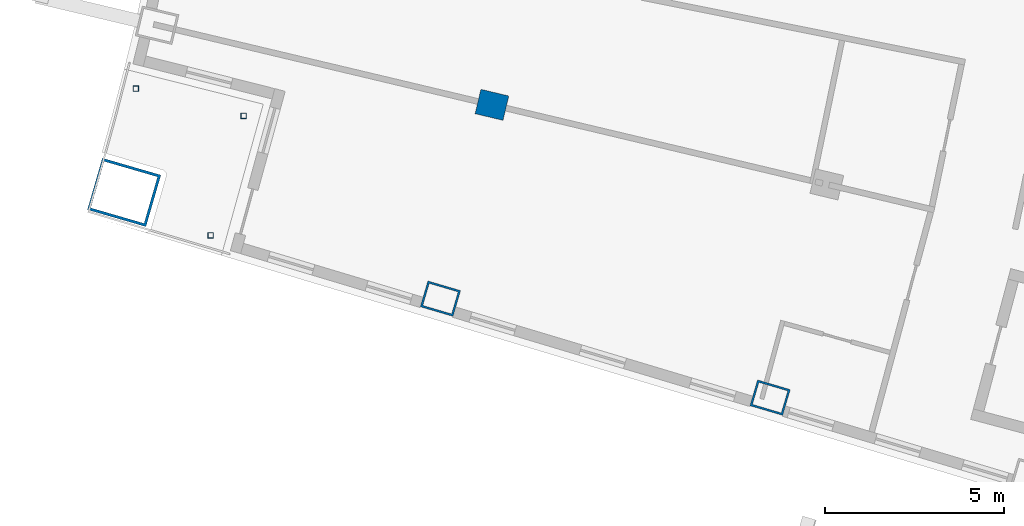
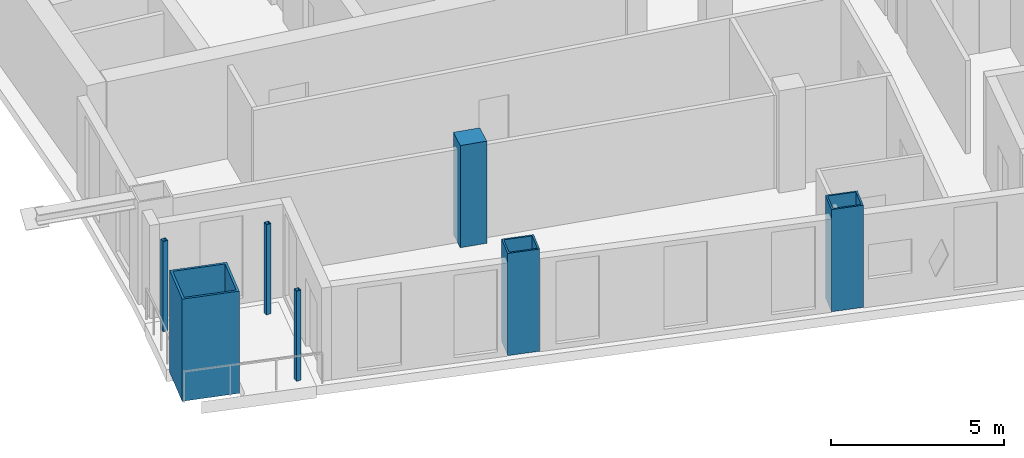
# One storey, part 1 of 19: 7 columns.
"""IFC4 building model written with IfcOpenShell, lengths in metres."""

from ifc_helpers import new_model, si_unit, direction, frame, origin, origin_2d, place, context, subcontext, project, spatial, rectangle, hollow_rectangle, extrude, material, material_profile, profile_set, type_object, element, save


model = new_model("IFC4")

# Units and contexts
model_context = context("Model", 3, precision=1e-05, world=origin(), true_north=direction((0.0, 1.0)))
body_context = subcontext(model_context, "Body", "Model", "MODEL_VIEW")
ifc_project = project(units=[si_unit("LENGTHUNIT", "METRE"), si_unit("AREAUNIT", "SQUARE_METRE"), si_unit("VOLUMEUNIT", "CUBIC_METRE"), si_unit("PLANEANGLEUNIT", "RADIAN"), si_unit("MASSUNIT", "GRAM", prefix="KILO")], contexts=[model_context])

# Site, building, storey
site_placement = place(None, origin())
site = spatial("IfcSite", under=ifc_project, at=site_placement, CompositionType="ELEMENT")
building_placement = place(site_placement, origin())
building = spatial("IfcBuilding", under=site, at=building_placement, Name="Alderwake Tower", CompositionType="ELEMENT")
storey_placement = place(building_placement, frame((0.0, 0.0, 196.39990234375)))
storey = spatial("IfcBuildingStorey", under=building, at=storey_placement, Name="L48", CompositionType="ELEMENT", Elevation=196.39990234375)

# Columns
ifc_material_1 = material(Name="Steel ASTM A572 Grade 50 concrete filled C70/85", Category="concrete")
ifc_material_profile_1 = material_profile(ifc_material_1, hollow_rectangle(XDim=0.75, YDim=0.949951171875, WallThickness=0.054931640625, at=origin_2d()), Name="BOX 950X750X55")
ifc_profile_set_1 = profile_set([ifc_material_profile_1], Name="Steel ASTM A572 Grade 50 concrete filled C70/85")
column_type_1 = type_object("IfcColumnType", Name="End column Z4", PredefinedType="COLUMN", material=ifc_profile_set_1)
for number, where, z_axis, x_axis, name in (
    (1, (21.885498046875, 31.03759765625, 0.0), (0.0, 0.0, 1.0), (0.282132160283, 0.95937554906, 0.0), "Column R02-C1"),
    (2, (31.080322265625, 28.27685546875, 0.0), (0.0, 0.0, 1.0), (0.282582549822, 0.959242984095, 0.0), "Column R02-C2"),
):
    element("IfcColumn", number, at=place(storey_placement, frame(where, z_axis=z_axis, x_axis=x_axis)), inside=storey, type_object=column_type_1, Name=name, PredefinedType="COLUMN", context=body_context, shape_type="SweptSolid", body=[
        extrude(hollow_rectangle(XDim=0.75, YDim=0.949951171875, WallThickness=0.054931640625, at=origin_2d()), origin(), (0.0, 0.0, 1.0), 3.60009765625),
    ])
ifc_material_2 = material(Name="Concrete C70/85", Category="concrete")
ifc_material_profile_2 = material_profile(ifc_material_2, rectangle(XDim=0.699951171875, YDim=0.800048828125, at=origin_2d()), Name="RC 800X700")
ifc_profile_set_2 = profile_set([ifc_material_profile_2], Name="Concrete C70/85")
column_type_2 = type_object("IfcColumnType", Name="Interior column Z4", PredefinedType="COLUMN", material=ifc_profile_set_2)
column_1_placement = place(storey_placement, frame((23.322021484375, 36.444091796875, 0.0), z_axis=(0.0, 0.0, 1.0), x_axis=(0.231221547198, 0.972901123502, 0.0)))
element("IfcColumn", 3, at=column_1_placement, inside=storey, type_object=column_type_2, Name="Column R03-C1", PredefinedType="COLUMN", context=body_context, shape_type="SweptSolid", body=[
    extrude(rectangle(XDim=0.699951171875, YDim=0.800048828125, at=origin_2d()), origin(), (0.0, 0.0, 1.0), 3.60009765625),
])
ifc_material_3 = material(Name="Steel ASTM A500 Grade C", Category="steel")
ifc_material_profile_3 = material_profile(ifc_material_3, hollow_rectangle(XDim=0.15234375, YDim=0.15234375, WallThickness=0.0087890625, at=origin_2d()), Name="HSS6X6X3/8")
ifc_profile_set_3 = profile_set([ifc_material_profile_3], Name="Steel ASTM A500 Grade C")
column_type_3 = type_object("IfcColumnType", Name="Light post HSS6X6X3/8", PredefinedType="COLUMN", material=ifc_profile_set_3)
for number, where, z_axis, x_axis, name in (
    (4, (13.3896484375, 36.896484375, 0.0), (0.0, 0.0, 1.0), (1.0, 0.0, 0.0), "Terrace post RS1"),
    (5, (15.47412109375, 32.805908203125, 0.0), (0.0, 0.0, 1.0), (1.0, 0.0, 0.0), "Terrace post RS2"),
    (6, (16.39501953125, 36.135986328125, 0.0), (0.0, 0.0, 1.0), (1.0, 0.0, 0.0), "Terrace post RS3"),
):
    element("IfcColumn", number, at=place(storey_placement, frame(where, z_axis=z_axis, x_axis=x_axis)), inside=storey, type_object=column_type_3, Name=name, PredefinedType="COLUMN", context=body_context, shape_type="SweptSolid", body=[
        extrude(hollow_rectangle(XDim=0.15234375, YDim=0.15234375, WallThickness=0.0087890625, at=origin_2d()), origin(), (0.0, 0.0, 1.0), 3.18017578125),
    ])
ifc_material_4 = material(Name="Steel ASTM A572 Grade 50 concrete filled C70/85", Category="concrete")
ifc_material_profile_4 = material_profile(ifc_material_4, hollow_rectangle(XDim=1.5, YDim=1.699951171875, WallThickness=0.074951171875, at=origin_2d()), Name="BOX 1700X1500X75")
ifc_profile_set_4 = profile_set([ifc_material_profile_4], Name="Steel ASTM A572 Grade 50 concrete filled C70/85")
column_type_4 = type_object("IfcColumnType", Name="Mega column Z4", PredefinedType="COLUMN", material=ifc_profile_set_4)
column_2_placement = place(storey_placement, frame((13.06298828125, 34.00244140625, 0.0), z_axis=(0.0, 0.0, 1.0), x_axis=(0.278612301868, 0.960403657452, 0.0)))
element("IfcColumn", 7, at=column_2_placement, inside=storey, type_object=column_type_4, Name="Column R02-C0", PredefinedType="COLUMN", context=body_context, shape_type="SweptSolid", body=[
    extrude(hollow_rectangle(XDim=1.5, YDim=1.699951171875, WallThickness=0.074951171875, at=origin_2d()), origin(), (0.0, 0.0, 1.0), 3.60009765625),
])

save(model, "model.ifc")
